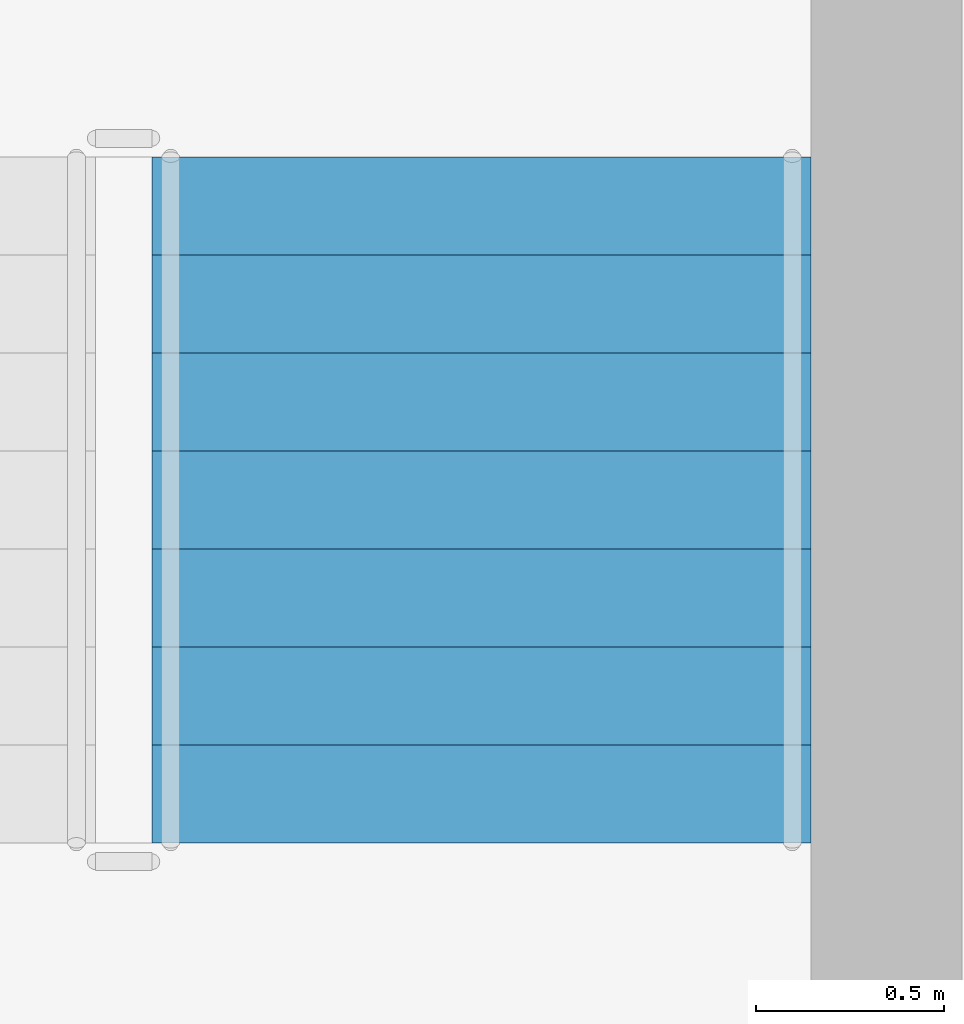
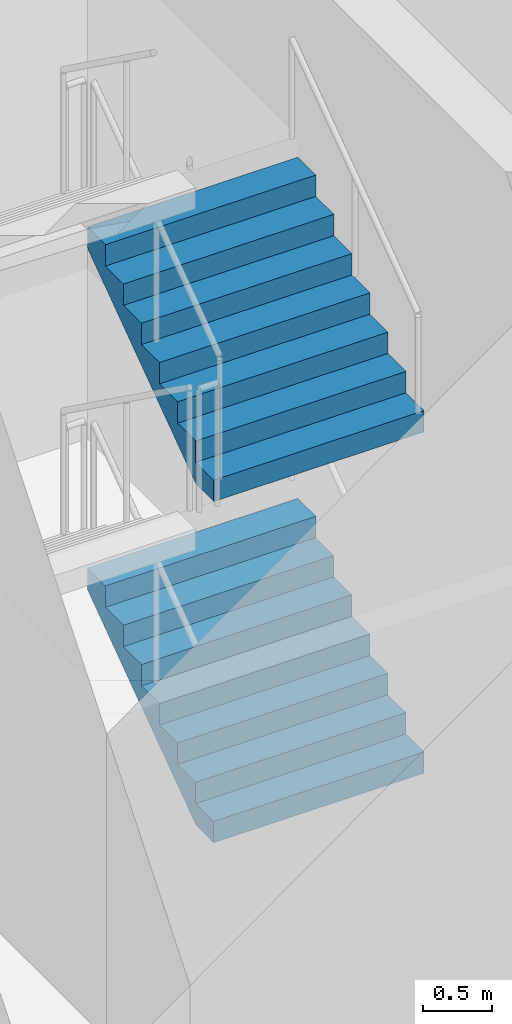
# One storey, part 59 of 75: 2 stair flights, 1 element without a shape of its own.
"""IFC4 building model written with IfcOpenShell, lengths in metres."""

from ifc_helpers import new_model, si_unit, direction, frame, origin, place, context, subcontext, project, spatial, faceted_brep, material, type_object, element, aggregate, save


model = new_model("IFC4")

# Units and contexts
model_context = context("Model", 3, precision=1e-05, world=origin(), true_north=direction((0.0, 1.0)))
body_context = subcontext(model_context, "Body", "Model", "MODEL_VIEW")
ifc_project = project(units=[si_unit("LENGTHUNIT", "METRE"), si_unit("AREAUNIT", "SQUARE_METRE"), si_unit("VOLUMEUNIT", "CUBIC_METRE"), si_unit("PLANEANGLEUNIT", "RADIAN"), si_unit("MASSUNIT", "GRAM", prefix="KILO")], contexts=[model_context])

# Site, building, storey
site_placement = place(None, origin())
site = spatial("IfcSite", under=ifc_project, at=site_placement, CompositionType="ELEMENT")
building_placement = place(site_placement, origin())
building = spatial("IfcBuilding", under=site, at=building_placement, Name="Ipe Terrace Towers", CompositionType="ELEMENT")
storey_placement = place(building_placement, origin())
storey = spatial("IfcBuildingStorey", under=building, at=storey_placement, Name="L00", CompositionType="ELEMENT", Elevation=0.0)

# Stair, stair flights
ifc_material_1 = material(Name="Concrete C30/37", Category="concrete")
stair_type = type_object("IfcStairType", Name="Protected exit stair", PredefinedType="HALF_TURN_STAIR", material=ifc_material_1)
stair_placement = place(storey_placement, origin())
stair = element("IfcStair", 1, at=stair_placement, inside=storey, type_object=stair_type, Name="L00 Exit stair T2-C1", PredefinedType="HALF_TURN_STAIR")
ifc_material_2 = material(Name="Concrete C30/37", Category="concrete")
stair_flight_type = type_object("IfcStairFlightType", Name="Exit stair flight 1750", PredefinedType="STRAIGHT", material=ifc_material_2)
stair_flight_1_placement = place(storey_placement, frame((33.22509765625, 9.699951171875, 0.0), z_axis=(0.0, 0.0, 1.0), x_axis=(0.0, 1.0, 0.0)))
stair_flight_1 = element("IfcStairFlight", 2, at=stair_flight_1_placement, type_object=stair_flight_type, Name="T2-ST1 flight 1", NumberOfRisers=8, NumberOfTreads=7, PredefinedType="STRAIGHT", RiserHeight=0.1875, TreadLength=0.26, context=body_context, shape_type="Brep", body=[
    faceted_brep([(0.25634765625, -0.875, 0.0), (1.820068359375, -0.875, 1.127685546875), (1.820068359375, -0.875, 1.3125), (1.56005859375, -0.875, 1.3125), (1.56005859375, -0.875, 1.125), (1.300048828125, -0.875, 1.125), (1.300048828125, -0.875, 0.9375), (1.0400390625, -0.875, 0.9375), (1.0400390625, -0.875, 0.75), (0.780029296875, -0.875, 0.75), (0.780029296875, -0.875, 0.5625), (0.52001953125, -0.875, 0.5625), (0.52001953125, -0.875, 0.375), (0.260009765625, -0.875, 0.375), (0.260009765625, -0.875, 0.1875), (0.0, -0.875, 0.1875), (0.0, -0.875, 0.0), (0.0, 0.875, 0.0), (0.0, 0.875, 0.1875), (0.260009765625, 0.875, 0.1875), (0.260009765625, 0.875, 0.375), (0.52001953125, 0.875, 0.375), (0.52001953125, 0.875, 0.5625), (0.780029296875, 0.875, 0.5625), (0.780029296875, 0.875, 0.75), (1.0400390625, 0.875, 0.75), (1.0400390625, 0.875, 0.9375), (1.300048828125, 0.875, 0.9375), (1.300048828125, 0.875, 1.125), (1.56005859375, 0.875, 1.125), (1.56005859375, 0.875, 1.3125), (1.820068359375, 0.875, 1.3125), (1.820068359375, 0.875, 1.127685546875), (0.25634765625, 0.875, 0.0), (0.0, -0.300048828125, 0.1875), (0.0, -0.1201171875, 0.1875), (0.0, -0.06005859375, 0.1875), (0.0, -0.030029296875, 0.1875), (0.0, -0.010009765625, 0.1875), (0.0, 0.0, 0.1875), (0.0, 0.010009765625, 0.1875), (0.0, 0.030029296875, 0.1875), (0.0, 0.06005859375, 0.1875), (0.0, 0.1201171875, 0.1875), (0.0, 0.300048828125, 0.1875), (0.0, 0.300048828125, 0.0), (0.0, 0.1201171875, 0.0), (0.0, 0.06005859375, 0.0), (0.0, 0.030029296875, 0.0), (0.0, 0.010009765625, 0.0), (0.0, 0.0, 0.0), (0.0, -0.010009765625, 0.0), (0.0, -0.030029296875, 0.0), (0.0, -0.06005859375, 0.0), (0.0, -0.1201171875, 0.0), (0.0, -0.300048828125, 0.0), (0.260009765625, -0.300048828125, 0.1875), (0.260009765625, -0.1201171875, 0.1875), (0.260009765625, -0.06005859375, 0.1875), (0.260009765625, -0.030029296875, 0.1875), (0.260009765625, -0.010009765625, 0.1875), (0.260009765625, 0.0, 0.1875), (0.260009765625, 0.010009765625, 0.1875), (0.260009765625, 0.030029296875, 0.1875), (0.260009765625, 0.06005859375, 0.1875), (0.260009765625, 0.1201171875, 0.1875), (0.260009765625, 0.300048828125, 0.1875), (0.260009765625, -0.300048828125, 0.375), (0.260009765625, -0.1201171875, 0.375), (0.260009765625, -0.06005859375, 0.375), (0.260009765625, -0.030029296875, 0.375), (0.260009765625, -0.010009765625, 0.375), (0.260009765625, 0.0, 0.375), (0.260009765625, 0.010009765625, 0.375), (0.260009765625, 0.030029296875, 0.375), (0.260009765625, 0.06005859375, 0.375), (0.260009765625, 0.1201171875, 0.375), (0.260009765625, 0.300048828125, 0.375), (0.52001953125, -0.300048828125, 0.375), (0.52001953125, -0.1201171875, 0.375), (0.52001953125, -0.06005859375, 0.375), (0.52001953125, -0.030029296875, 0.375), (0.52001953125, -0.010009765625, 0.375), (0.52001953125, 0.0, 0.375), (0.52001953125, 0.010009765625, 0.375), (0.52001953125, 0.030029296875, 0.375), (0.52001953125, 0.06005859375, 0.375), (0.52001953125, 0.1201171875, 0.375), (0.52001953125, 0.300048828125, 0.375), (0.52001953125, -0.300048828125, 0.5625), (0.52001953125, -0.1201171875, 0.5625), (0.52001953125, -0.06005859375, 0.5625), (0.52001953125, -0.030029296875, 0.5625), (0.52001953125, -0.010009765625, 0.5625), (0.52001953125, 0.0, 0.5625), (0.52001953125, 0.010009765625, 0.5625), (0.52001953125, 0.030029296875, 0.5625), (0.52001953125, 0.06005859375, 0.5625), (0.52001953125, 0.1201171875, 0.5625), (0.52001953125, 0.300048828125, 0.5625), (0.780029296875, -0.300048828125, 0.5625), (0.780029296875, -0.1201171875, 0.5625), (0.780029296875, -0.06005859375, 0.5625), (0.780029296875, -0.030029296875, 0.5625), (0.780029296875, -0.010009765625, 0.5625), (0.780029296875, 0.0, 0.5625), (0.780029296875, 0.010009765625, 0.5625), (0.780029296875, 0.030029296875, 0.5625), (0.780029296875, 0.06005859375, 0.5625), (0.780029296875, 0.1201171875, 0.5625), (0.780029296875, 0.300048828125, 0.5625), (0.780029296875, -0.300048828125, 0.75), (0.780029296875, -0.1201171875, 0.75), (0.780029296875, -0.06005859375, 0.75), (0.780029296875, -0.030029296875, 0.75), (0.780029296875, -0.010009765625, 0.75), (0.780029296875, 0.0, 0.75), (0.780029296875, 0.010009765625, 0.75), (0.780029296875, 0.030029296875, 0.75), (0.780029296875, 0.06005859375, 0.75), (0.780029296875, 0.1201171875, 0.75), (0.780029296875, 0.300048828125, 0.75), (1.0400390625, -0.300048828125, 0.75), (1.0400390625, -0.1201171875, 0.75), (1.0400390625, -0.06005859375, 0.75), (1.0400390625, -0.030029296875, 0.75), (1.0400390625, -0.010009765625, 0.75), (1.0400390625, 0.0, 0.75), (1.0400390625, 0.010009765625, 0.75), (1.0400390625, 0.030029296875, 0.75), (1.0400390625, 0.06005859375, 0.75), (1.0400390625, 0.1201171875, 0.75), (1.0400390625, 0.300048828125, 0.75), (1.0400390625, -0.300048828125, 0.9375), (1.0400390625, -0.1201171875, 0.9375), (1.0400390625, -0.06005859375, 0.9375), (1.0400390625, -0.030029296875, 0.9375), (1.0400390625, -0.010009765625, 0.9375), (1.0400390625, 0.0, 0.9375), (1.0400390625, 0.010009765625, 0.9375), (1.0400390625, 0.030029296875, 0.9375), (1.0400390625, 0.06005859375, 0.9375), (1.0400390625, 0.1201171875, 0.9375), (1.0400390625, 0.300048828125, 0.9375), (1.300048828125, -0.300048828125, 0.9375), (1.300048828125, -0.1201171875, 0.9375), (1.300048828125, -0.06005859375, 0.9375), (1.300048828125, -0.030029296875, 0.9375), (1.300048828125, -0.010009765625, 0.9375), (1.300048828125, 0.0, 0.9375), (1.300048828125, 0.010009765625, 0.9375), (1.300048828125, 0.030029296875, 0.9375), (1.300048828125, 0.06005859375, 0.9375), (1.300048828125, 0.1201171875, 0.9375), (1.300048828125, 0.300048828125, 0.9375), (1.300048828125, -0.300048828125, 1.125), (1.300048828125, -0.1201171875, 1.125), (1.300048828125, -0.06005859375, 1.125), (1.300048828125, -0.030029296875, 1.125), (1.300048828125, -0.010009765625, 1.125), (1.300048828125, 0.0, 1.125), (1.300048828125, 0.010009765625, 1.125), (1.300048828125, 0.030029296875, 1.125), (1.300048828125, 0.06005859375, 1.125), (1.300048828125, 0.1201171875, 1.125), (1.300048828125, 0.300048828125, 1.125), (1.56005859375, -0.300048828125, 1.125), (1.56005859375, -0.1201171875, 1.125), (1.56005859375, -0.06005859375, 1.125), (1.56005859375, -0.030029296875, 1.125), (1.56005859375, -0.010009765625, 1.125), (1.56005859375, 0.0, 1.125), (1.56005859375, 0.010009765625, 1.125), (1.56005859375, 0.030029296875, 1.125), (1.56005859375, 0.06005859375, 1.125), (1.56005859375, 0.1201171875, 1.125), (1.56005859375, 0.300048828125, 1.125), (1.56005859375, -0.300048828125, 1.3125), (1.56005859375, -0.1201171875, 1.3125), (1.56005859375, -0.06005859375, 1.3125), (1.56005859375, -0.030029296875, 1.3125), (1.56005859375, -0.010009765625, 1.3125), (1.56005859375, 0.0, 1.3125), (1.56005859375, 0.010009765625, 1.3125), (1.56005859375, 0.030029296875, 1.3125), (1.56005859375, 0.06005859375, 1.3125), (1.56005859375, 0.1201171875, 1.3125), (1.56005859375, 0.300048828125, 1.3125), (1.820068359375, -0.300048828125, 1.3125), (1.820068359375, -0.1201171875, 1.3125), (1.820068359375, -0.06005859375, 1.3125), (1.820068359375, -0.030029296875, 1.3125), (1.820068359375, -0.010009765625, 1.3125), (1.820068359375, 0.0, 1.3125), (1.820068359375, 0.010009765625, 1.3125), (1.820068359375, 0.030029296875, 1.3125), (1.820068359375, 0.06005859375, 1.3125), (1.820068359375, 0.1201171875, 1.3125), (1.820068359375, 0.300048828125, 1.3125), (1.820068359375, -0.300048828125, 1.127685546875), (1.820068359375, -0.1201171875, 1.127685546875), (1.820068359375, -0.06005859375, 1.127685546875), (1.820068359375, -0.030029296875, 1.127685546875), (1.820068359375, -0.010009765625, 1.127685546875), (1.820068359375, 0.0, 1.127685546875), (1.820068359375, 0.010009765625, 1.127685546875), (1.820068359375, 0.030029296875, 1.127685546875), (1.820068359375, 0.06005859375, 1.127685546875), (1.820068359375, 0.1201171875, 1.127685546875), (1.820068359375, 0.300048828125, 1.127685546875), (0.25634765625, -0.300048828125, 0.0), (0.25634765625, -0.1201171875, 0.0), (0.25634765625, -0.06005859375, 0.0), (0.25634765625, -0.030029296875, 0.0), (0.25634765625, -0.010009765625, 0.0), (0.25634765625, 0.0, 0.0), (0.25634765625, 0.010009765625, 0.0), (0.25634765625, 0.030029296875, 0.0), (0.25634765625, 0.06005859375, 0.0), (0.25634765625, 0.1201171875, 0.0), (0.25634765625, 0.300048828125, 0.0)], [[[0, 1, 2, 3, 4, 5, 6, 7, 8, 9, 10, 11, 12, 13, 14, 15, 16]], [[17, 18, 19, 20, 21, 22, 23, 24, 25, 26, 27, 28, 29, 30, 31, 32, 33]], [[15, 34, 35, 36, 37, 38, 39, 40, 41, 42, 43, 44, 18, 17, 45, 46, 47, 48, 49, 50, 51, 52, 53, 54, 55, 16]], [[14, 56, 57, 58, 59, 60, 61, 62, 63, 64, 65, 66, 19, 18, 44, 43, 42, 41, 40, 39, 38, 37, 36, 35, 34, 15]], [[13, 67, 68, 69, 70, 71, 72, 73, 74, 75, 76, 77, 20, 19, 66, 65, 64, 63, 62, 61, 60, 59, 58, 57, 56, 14]], [[12, 78, 79, 80, 81, 82, 83, 84, 85, 86, 87, 88, 21, 20, 77, 76, 75, 74, 73, 72, 71, 70, 69, 68, 67, 13]], [[11, 89, 90, 91, 92, 93, 94, 95, 96, 97, 98, 99, 22, 21, 88, 87, 86, 85, 84, 83, 82, 81, 80, 79, 78, 12]], [[10, 100, 101, 102, 103, 104, 105, 106, 107, 108, 109, 110, 23, 22, 99, 98, 97, 96, 95, 94, 93, 92, 91, 90, 89, 11]], [[9, 111, 112, 113, 114, 115, 116, 117, 118, 119, 120, 121, 24, 23, 110, 109, 108, 107, 106, 105, 104, 103, 102, 101, 100, 10]], [[8, 122, 123, 124, 125, 126, 127, 128, 129, 130, 131, 132, 25, 24, 121, 120, 119, 118, 117, 116, 115, 114, 113, 112, 111, 9]], [[7, 133, 134, 135, 136, 137, 138, 139, 140, 141, 142, 143, 26, 25, 132, 131, 130, 129, 128, 127, 126, 125, 124, 123, 122, 8]], [[6, 144, 145, 146, 147, 148, 149, 150, 151, 152, 153, 154, 27, 26, 143, 142, 141, 140, 139, 138, 137, 136, 135, 134, 133, 7]], [[5, 155, 156, 157, 158, 159, 160, 161, 162, 163, 164, 165, 28, 27, 154, 153, 152, 151, 150, 149, 148, 147, 146, 145, 144, 6]], [[4, 166, 167, 168, 169, 170, 171, 172, 173, 174, 175, 176, 29, 28, 165, 164, 163, 162, 161, 160, 159, 158, 157, 156, 155, 5]], [[3, 177, 178, 179, 180, 181, 182, 183, 184, 185, 186, 187, 30, 29, 176, 175, 174, 173, 172, 171, 170, 169, 168, 167, 166, 4]], [[2, 188, 189, 190, 191, 192, 193, 194, 195, 196, 197, 198, 31, 30, 187, 186, 185, 184, 183, 182, 181, 180, 179, 178, 177, 3]], [[1, 199, 200, 201, 202, 203, 204, 205, 206, 207, 208, 209, 32, 31, 198, 197, 196, 195, 194, 193, 192, 191, 190, 189, 188, 2]], [[0, 210, 211, 212, 213, 214, 215, 216, 217, 218, 219, 220, 33, 32, 209, 208, 207, 206, 205, 204, 203, 202, 201, 200, 199, 1]], [[16, 55, 54, 53, 52, 51, 50, 49, 48, 47, 46, 45, 17, 33, 220, 219, 218, 217, 216, 215, 214, 213, 212, 211, 210, 0]]]),
])
stair_flight_2_placement = place(storey_placement, frame((33.22509765625, 9.699951171875, 3.0), z_axis=(0.0, 0.0, 1.0), x_axis=(0.0, 1.0, 0.0)))
stair_flight_2 = element("IfcStairFlight", 3, at=stair_flight_2_placement, type_object=stair_flight_type, Name="T2-ST1 flight 3", NumberOfRisers=8, NumberOfTreads=7, PredefinedType="STRAIGHT", RiserHeight=0.1875, TreadLength=0.26, context=body_context, shape_type="Brep", body=[
    faceted_brep([(0.25634765625, -0.875, 0.0), (1.820068359375, -0.875, 1.127685546875), (1.820068359375, -0.875, 1.3125), (1.56005859375, -0.875, 1.3125), (1.56005859375, -0.875, 1.125), (1.300048828125, -0.875, 1.125), (1.300048828125, -0.875, 0.9375), (1.0400390625, -0.875, 0.9375), (1.0400390625, -0.875, 0.75), (0.780029296875, -0.875, 0.75), (0.780029296875, -0.875, 0.5625), (0.52001953125, -0.875, 0.5625), (0.52001953125, -0.875, 0.375), (0.260009765625, -0.875, 0.375), (0.260009765625, -0.875, 0.1875), (0.0, -0.875, 0.1875), (0.0, -0.875, 0.0), (0.0, 0.875, 0.0), (0.0, 0.875, 0.1875), (0.260009765625, 0.875, 0.1875), (0.260009765625, 0.875, 0.375), (0.52001953125, 0.875, 0.375), (0.52001953125, 0.875, 0.5625), (0.780029296875, 0.875, 0.5625), (0.780029296875, 0.875, 0.75), (1.0400390625, 0.875, 0.75), (1.0400390625, 0.875, 0.9375), (1.300048828125, 0.875, 0.9375), (1.300048828125, 0.875, 1.125), (1.56005859375, 0.875, 1.125), (1.56005859375, 0.875, 1.3125), (1.820068359375, 0.875, 1.3125), (1.820068359375, 0.875, 1.127685546875), (0.25634765625, 0.875, 0.0), (0.0, -0.300048828125, 0.1875), (0.0, -0.1201171875, 0.1875), (0.0, -0.06005859375, 0.1875), (0.0, -0.030029296875, 0.1875), (0.0, -0.010009765625, 0.1875), (0.0, 0.0, 0.1875), (0.0, 0.010009765625, 0.1875), (0.0, 0.030029296875, 0.1875), (0.0, 0.06005859375, 0.1875), (0.0, 0.1201171875, 0.1875), (0.0, 0.300048828125, 0.1875), (0.0, 0.300048828125, 0.0), (0.0, 0.1201171875, 0.0), (0.0, 0.06005859375, 0.0), (0.0, 0.030029296875, 0.0), (0.0, 0.010009765625, 0.0), (0.0, 0.0, 0.0), (0.0, -0.010009765625, 0.0), (0.0, -0.030029296875, 0.0), (0.0, -0.06005859375, 0.0), (0.0, -0.1201171875, 0.0), (0.0, -0.300048828125, 0.0), (0.260009765625, -0.300048828125, 0.1875), (0.260009765625, -0.1201171875, 0.1875), (0.260009765625, -0.06005859375, 0.1875), (0.260009765625, -0.030029296875, 0.1875), (0.260009765625, -0.010009765625, 0.1875), (0.260009765625, 0.0, 0.1875), (0.260009765625, 0.010009765625, 0.1875), (0.260009765625, 0.030029296875, 0.1875), (0.260009765625, 0.06005859375, 0.1875), (0.260009765625, 0.1201171875, 0.1875), (0.260009765625, 0.300048828125, 0.1875), (0.260009765625, -0.300048828125, 0.375), (0.260009765625, -0.1201171875, 0.375), (0.260009765625, -0.06005859375, 0.375), (0.260009765625, -0.030029296875, 0.375), (0.260009765625, -0.010009765625, 0.375), (0.260009765625, 0.0, 0.375), (0.260009765625, 0.010009765625, 0.375), (0.260009765625, 0.030029296875, 0.375), (0.260009765625, 0.06005859375, 0.375), (0.260009765625, 0.1201171875, 0.375), (0.260009765625, 0.300048828125, 0.375), (0.52001953125, -0.300048828125, 0.375), (0.52001953125, -0.1201171875, 0.375), (0.52001953125, -0.06005859375, 0.375), (0.52001953125, -0.030029296875, 0.375), (0.52001953125, -0.010009765625, 0.375), (0.52001953125, 0.0, 0.375), (0.52001953125, 0.010009765625, 0.375), (0.52001953125, 0.030029296875, 0.375), (0.52001953125, 0.06005859375, 0.375), (0.52001953125, 0.1201171875, 0.375), (0.52001953125, 0.300048828125, 0.375), (0.52001953125, -0.300048828125, 0.5625), (0.52001953125, -0.1201171875, 0.5625), (0.52001953125, -0.06005859375, 0.5625), (0.52001953125, -0.030029296875, 0.5625), (0.52001953125, -0.010009765625, 0.5625), (0.52001953125, 0.0, 0.5625), (0.52001953125, 0.010009765625, 0.5625), (0.52001953125, 0.030029296875, 0.5625), (0.52001953125, 0.06005859375, 0.5625), (0.52001953125, 0.1201171875, 0.5625), (0.52001953125, 0.300048828125, 0.5625), (0.780029296875, -0.300048828125, 0.5625), (0.780029296875, -0.1201171875, 0.5625), (0.780029296875, -0.06005859375, 0.5625), (0.780029296875, -0.030029296875, 0.5625), (0.780029296875, -0.010009765625, 0.5625), (0.780029296875, 0.0, 0.5625), (0.780029296875, 0.010009765625, 0.5625), (0.780029296875, 0.030029296875, 0.5625), (0.780029296875, 0.06005859375, 0.5625), (0.780029296875, 0.1201171875, 0.5625), (0.780029296875, 0.300048828125, 0.5625), (0.780029296875, -0.300048828125, 0.75), (0.780029296875, -0.1201171875, 0.75), (0.780029296875, -0.06005859375, 0.75), (0.780029296875, -0.030029296875, 0.75), (0.780029296875, -0.010009765625, 0.75), (0.780029296875, 0.0, 0.75), (0.780029296875, 0.010009765625, 0.75), (0.780029296875, 0.030029296875, 0.75), (0.780029296875, 0.06005859375, 0.75), (0.780029296875, 0.1201171875, 0.75), (0.780029296875, 0.300048828125, 0.75), (1.0400390625, -0.300048828125, 0.75), (1.0400390625, -0.1201171875, 0.75), (1.0400390625, -0.06005859375, 0.75), (1.0400390625, -0.030029296875, 0.75), (1.0400390625, -0.010009765625, 0.75), (1.0400390625, 0.0, 0.75), (1.0400390625, 0.010009765625, 0.75), (1.0400390625, 0.030029296875, 0.75), (1.0400390625, 0.06005859375, 0.75), (1.0400390625, 0.1201171875, 0.75), (1.0400390625, 0.300048828125, 0.75), (1.0400390625, -0.300048828125, 0.9375), (1.0400390625, -0.1201171875, 0.9375), (1.0400390625, -0.06005859375, 0.9375), (1.0400390625, -0.030029296875, 0.9375), (1.0400390625, -0.010009765625, 0.9375), (1.0400390625, 0.0, 0.9375), (1.0400390625, 0.010009765625, 0.9375), (1.0400390625, 0.030029296875, 0.9375), (1.0400390625, 0.06005859375, 0.9375), (1.0400390625, 0.1201171875, 0.9375), (1.0400390625, 0.300048828125, 0.9375), (1.300048828125, -0.300048828125, 0.9375), (1.300048828125, -0.1201171875, 0.9375), (1.300048828125, -0.06005859375, 0.9375), (1.300048828125, -0.030029296875, 0.9375), (1.300048828125, -0.010009765625, 0.9375), (1.300048828125, 0.0, 0.9375), (1.300048828125, 0.010009765625, 0.9375), (1.300048828125, 0.030029296875, 0.9375), (1.300048828125, 0.06005859375, 0.9375), (1.300048828125, 0.1201171875, 0.9375), (1.300048828125, 0.300048828125, 0.9375), (1.300048828125, -0.300048828125, 1.125), (1.300048828125, -0.1201171875, 1.125), (1.300048828125, -0.06005859375, 1.125), (1.300048828125, -0.030029296875, 1.125), (1.300048828125, -0.010009765625, 1.125), (1.300048828125, 0.0, 1.125), (1.300048828125, 0.010009765625, 1.125), (1.300048828125, 0.030029296875, 1.125), (1.300048828125, 0.06005859375, 1.125), (1.300048828125, 0.1201171875, 1.125), (1.300048828125, 0.300048828125, 1.125), (1.56005859375, -0.300048828125, 1.125), (1.56005859375, -0.1201171875, 1.125), (1.56005859375, -0.06005859375, 1.125), (1.56005859375, -0.030029296875, 1.125), (1.56005859375, -0.010009765625, 1.125), (1.56005859375, 0.0, 1.125), (1.56005859375, 0.010009765625, 1.125), (1.56005859375, 0.030029296875, 1.125), (1.56005859375, 0.06005859375, 1.125), (1.56005859375, 0.1201171875, 1.125), (1.56005859375, 0.300048828125, 1.125), (1.56005859375, -0.300048828125, 1.3125), (1.56005859375, -0.1201171875, 1.3125), (1.56005859375, -0.06005859375, 1.3125), (1.56005859375, -0.030029296875, 1.3125), (1.56005859375, -0.010009765625, 1.3125), (1.56005859375, 0.0, 1.3125), (1.56005859375, 0.010009765625, 1.3125), (1.56005859375, 0.030029296875, 1.3125), (1.56005859375, 0.06005859375, 1.3125), (1.56005859375, 0.1201171875, 1.3125), (1.56005859375, 0.300048828125, 1.3125), (1.820068359375, -0.300048828125, 1.3125), (1.820068359375, -0.1201171875, 1.3125), (1.820068359375, -0.06005859375, 1.3125), (1.820068359375, -0.030029296875, 1.3125), (1.820068359375, -0.010009765625, 1.3125), (1.820068359375, 0.0, 1.3125), (1.820068359375, 0.010009765625, 1.3125), (1.820068359375, 0.030029296875, 1.3125), (1.820068359375, 0.06005859375, 1.3125), (1.820068359375, 0.1201171875, 1.3125), (1.820068359375, 0.300048828125, 1.3125), (1.820068359375, -0.300048828125, 1.127685546875), (1.820068359375, -0.1201171875, 1.127685546875), (1.820068359375, -0.06005859375, 1.127685546875), (1.820068359375, -0.030029296875, 1.127685546875), (1.820068359375, -0.010009765625, 1.127685546875), (1.820068359375, 0.0, 1.127685546875), (1.820068359375, 0.010009765625, 1.127685546875), (1.820068359375, 0.030029296875, 1.127685546875), (1.820068359375, 0.06005859375, 1.127685546875), (1.820068359375, 0.1201171875, 1.127685546875), (1.820068359375, 0.300048828125, 1.127685546875), (0.25634765625, -0.300048828125, 0.0), (0.25634765625, -0.1201171875, 0.0), (0.25634765625, -0.06005859375, 0.0), (0.25634765625, -0.030029296875, 0.0), (0.25634765625, -0.010009765625, 0.0), (0.25634765625, 0.0, 0.0), (0.25634765625, 0.010009765625, 0.0), (0.25634765625, 0.030029296875, 0.0), (0.25634765625, 0.06005859375, 0.0), (0.25634765625, 0.1201171875, 0.0), (0.25634765625, 0.300048828125, 0.0)], [[[0, 1, 2, 3, 4, 5, 6, 7, 8, 9, 10, 11, 12, 13, 14, 15, 16]], [[17, 18, 19, 20, 21, 22, 23, 24, 25, 26, 27, 28, 29, 30, 31, 32, 33]], [[15, 34, 35, 36, 37, 38, 39, 40, 41, 42, 43, 44, 18, 17, 45, 46, 47, 48, 49, 50, 51, 52, 53, 54, 55, 16]], [[14, 56, 57, 58, 59, 60, 61, 62, 63, 64, 65, 66, 19, 18, 44, 43, 42, 41, 40, 39, 38, 37, 36, 35, 34, 15]], [[13, 67, 68, 69, 70, 71, 72, 73, 74, 75, 76, 77, 20, 19, 66, 65, 64, 63, 62, 61, 60, 59, 58, 57, 56, 14]], [[12, 78, 79, 80, 81, 82, 83, 84, 85, 86, 87, 88, 21, 20, 77, 76, 75, 74, 73, 72, 71, 70, 69, 68, 67, 13]], [[11, 89, 90, 91, 92, 93, 94, 95, 96, 97, 98, 99, 22, 21, 88, 87, 86, 85, 84, 83, 82, 81, 80, 79, 78, 12]], [[10, 100, 101, 102, 103, 104, 105, 106, 107, 108, 109, 110, 23, 22, 99, 98, 97, 96, 95, 94, 93, 92, 91, 90, 89, 11]], [[9, 111, 112, 113, 114, 115, 116, 117, 118, 119, 120, 121, 24, 23, 110, 109, 108, 107, 106, 105, 104, 103, 102, 101, 100, 10]], [[8, 122, 123, 124, 125, 126, 127, 128, 129, 130, 131, 132, 25, 24, 121, 120, 119, 118, 117, 116, 115, 114, 113, 112, 111, 9]], [[7, 133, 134, 135, 136, 137, 138, 139, 140, 141, 142, 143, 26, 25, 132, 131, 130, 129, 128, 127, 126, 125, 124, 123, 122, 8]], [[6, 144, 145, 146, 147, 148, 149, 150, 151, 152, 153, 154, 27, 26, 143, 142, 141, 140, 139, 138, 137, 136, 135, 134, 133, 7]], [[5, 155, 156, 157, 158, 159, 160, 161, 162, 163, 164, 165, 28, 27, 154, 153, 152, 151, 150, 149, 148, 147, 146, 145, 144, 6]], [[4, 166, 167, 168, 169, 170, 171, 172, 173, 174, 175, 176, 29, 28, 165, 164, 163, 162, 161, 160, 159, 158, 157, 156, 155, 5]], [[3, 177, 178, 179, 180, 181, 182, 183, 184, 185, 186, 187, 30, 29, 176, 175, 174, 173, 172, 171, 170, 169, 168, 167, 166, 4]], [[2, 188, 189, 190, 191, 192, 193, 194, 195, 196, 197, 198, 31, 30, 187, 186, 185, 184, 183, 182, 181, 180, 179, 178, 177, 3]], [[1, 199, 200, 201, 202, 203, 204, 205, 206, 207, 208, 209, 32, 31, 198, 197, 196, 195, 194, 193, 192, 191, 190, 189, 188, 2]], [[0, 210, 211, 212, 213, 214, 215, 216, 217, 218, 219, 220, 33, 32, 209, 208, 207, 206, 205, 204, 203, 202, 201, 200, 199, 1]], [[16, 55, 54, 53, 52, 51, 50, 49, 48, 47, 46, 45, 17, 33, 220, 219, 218, 217, 216, 215, 214, 213, 212, 211, 210, 0]]]),
])
aggregate(stair, [stair_flight_1, stair_flight_2])

save(model, "model.ifc")
